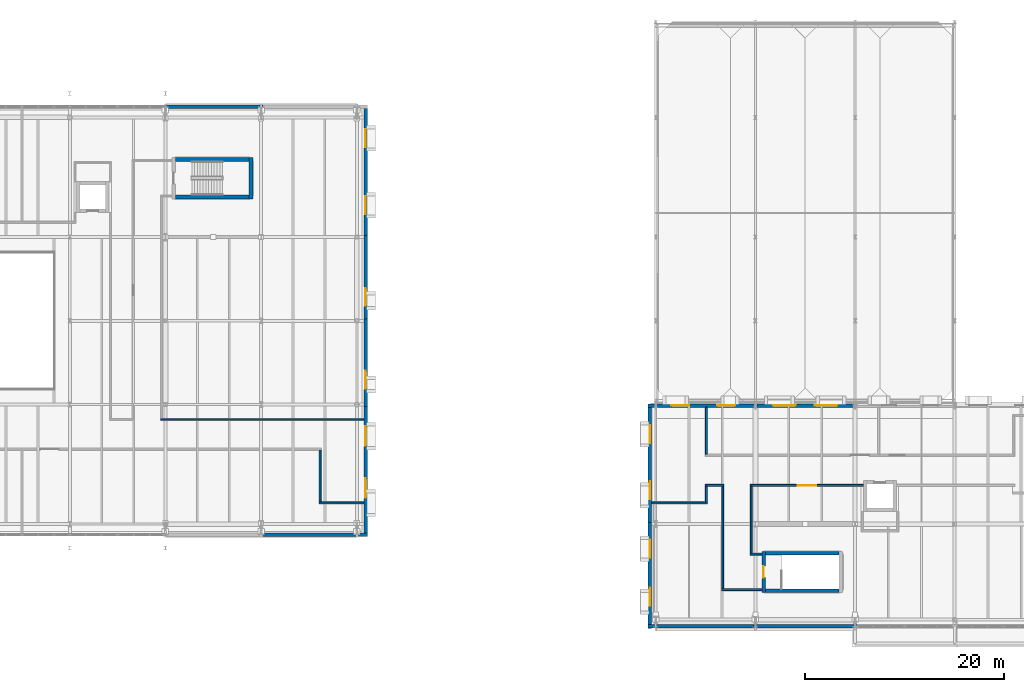
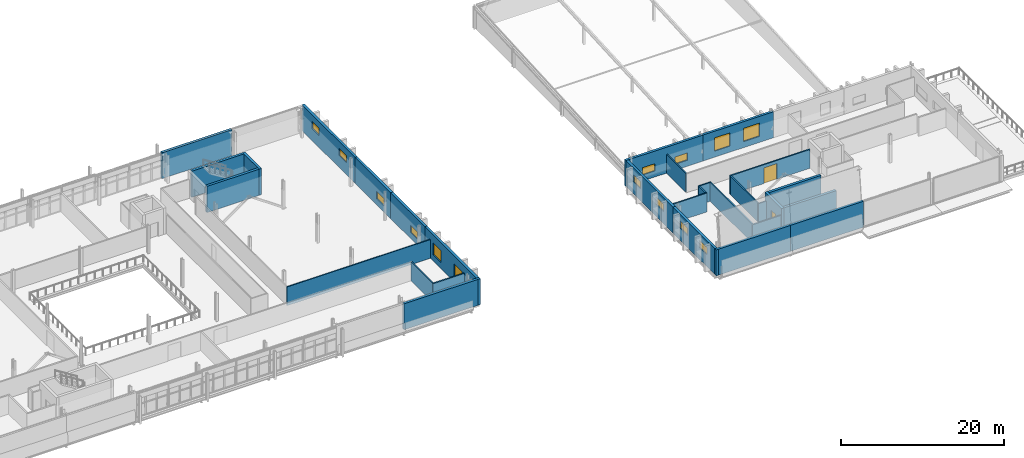
# One storey, part 45 of 57: 30 walls, 14 windows, 2 doors, 16 openings.
"""IFC4 building model written with IfcOpenShell, lengths in metres."""

from ifc_helpers import new_model, si_unit, direction, frame, frame_2d, origin, place, context, subcontext, project, spatial, rectangle, extrude, material, layer, layer_set, type_object, element, fill, save


model = new_model("IFC4")

# Units and contexts
model_context = context("Model", 3, precision=1e-05, world=origin(), true_north=direction((0.0, 1.0)))
body_context = subcontext(model_context, "Body", "Model", "MODEL_VIEW")
ifc_project = project(units=[si_unit("LENGTHUNIT", "METRE"), si_unit("AREAUNIT", "SQUARE_METRE"), si_unit("VOLUMEUNIT", "CUBIC_METRE"), si_unit("PLANEANGLEUNIT", "RADIAN"), si_unit("MASSUNIT", "GRAM", prefix="KILO")], contexts=[model_context])

# Site, building, storey
site_placement = place(None, origin())
site = spatial("IfcSite", under=ifc_project, at=site_placement, CompositionType="ELEMENT")
building_placement = place(site_placement, origin())
building = spatial("IfcBuilding", under=site, at=building_placement, Name="Zereglee Splitstone Museum", CompositionType="ELEMENT")
storey_placement = place(building_placement, frame((0.0, 0.0, 17.10009765625)))
storey = spatial("IfcBuildingStorey", under=building, at=storey_placement, Name="L03", CompositionType="ELEMENT", Elevation=17.10009765625)

# Walls
ifc_material_1 = material(Name="Concrete C45/55", Category="concrete")
ifc_layer_1 = layer(ifc_material_1, 0.360107421875)
ifc_layer_set_1 = layer_set([ifc_layer_1], Name="Concrete C45/55")
wall_type_1 = type_object("IfcWallType", Name="CSW-02", PredefinedType="SHEAR", material=ifc_layer_set_1)
wall_1_placement = place(storey_placement, frame((134.580078125, 42.239990234375, 0.0), z_axis=(0.0, 0.0, 1.0), x_axis=(0.0, 1.0, 0.0)))
element("IfcWall", 1, at=wall_1_placement, inside=storey, type_object=wall_type_1, Name="Stair Core Shear Wall ST-03 L03 East", PredefinedType="SHEAR", context=body_context, shape_type="SweptSolid", body=[
    extrude(rectangle(XDim=4.1201171875, YDim=0.360107421875, at=frame_2d((2.06005859375, 0.0))), origin(), (0.0, 0.0, 1.0), 3.93994140625),
])
for number, where, z_axis, x_axis, name in (
    (2, (127.0, 46.179931640625, 0.0), (0.0, 0.0, 1.0), (1.0, 0.0, 0.0), "Stair Core Shear Wall ST-03 L03 North"),
    (3, (127.0, 42.419921875, 0.0), (0.0, 0.0, 1.0), (1.0, 0.0, 0.0), "Stair Core Shear Wall ST-03 L03 South"),
):
    element("IfcWall", number, at=place(storey_placement, frame(where, z_axis=z_axis, x_axis=x_axis)), inside=storey, type_object=wall_type_1, Name=name, PredefinedType="SHEAR", context=body_context, shape_type="SweptSolid", body=[
        extrude(rectangle(XDim=7.39990234375, YDim=0.360107421875, at=frame_2d((3.699951171875, 0.0))), origin(), (0.0, 0.0, 1.0), 3.93994140625),
    ])

# Wall, opening, door
wall_2_placement = place(storey_placement, frame((186.02001953125, 2.739990234375, 0.0), z_axis=(0.0, 0.0, 1.0), x_axis=(0.0, 1.0, 0.0)))
wall_2 = element("IfcWall", 4, at=wall_2_placement, inside=storey, type_object=wall_type_1, Name="Stair Core Shear Wall ST-04 L03 West", PredefinedType="SHEAR", context=body_context, shape_type="SweptSolid", body=[
    extrude(rectangle(XDim=4.1201171875, YDim=0.360107421875, at=frame_2d((2.06005859375, 0.0))), origin(), (0.0, 0.0, 1.0), 3.93994140625),
])
opening_1_placement = place(wall_2_placement, frame((1.485107421875, 0.0, 0.0)))
opening_1 = element("IfcOpeningElement", 5, at=opening_1_placement, cuts=wall_2, Name="Opening ID-03", PredefinedType="OPENING", context=body_context, shape_type="SweptSolid", body=[
    extrude(rectangle(XDim=1.14990234375, YDim=2.14990234375, at=frame_2d((0.574951171875, 1.074951171875))), frame((0.0, 0.19482421875, 0.0), z_axis=(0.0, -1.0, 0.0), x_axis=(1.0, 0.0, 0.0)), (0.0, 0.0, 1.0), 0.389892578125),
])
ifc_material_2 = material(Name="Fire-rated steel and Siberian larch leaf", Category="steel")
door_type_1 = type_object("IfcDoorType", Name="ID-03", OperationType="NOTDEFINED", PredefinedType="DOOR", material=ifc_material_2)
door_1_placement = place(opening_1_placement, origin())
door_1 = element("IfcDoor", 6, at=door_1_placement, inside=storey, type_object=door_type_1, Name="Protected Stair Fire Door ST-04 L03", OperationType="SINGLE_SWING_LEFT", OverallHeight=2.14990234375, OverallWidth=1.14990234375, PredefinedType="DOOR", context=body_context, shape_type="SweptSolid", body=[
    extrude(rectangle(XDim=1.14990234375, YDim=2.14990234375, at=frame_2d((0.574951171875, 1.074951171875))), frame((0.0, 0.02490234375, 0.0), z_axis=(0.0, -1.0, 0.0), x_axis=(1.0, 0.0, 0.0)), (0.0, 0.0, 1.0), 0.050048828125),
])
fill(opening_1, door_1)

# Walls
for number, where, z_axis, x_axis, name in (
    (7, (186.199951171875, 6.679931640625, 0.0), (0.0, 0.0, 1.0), (1.0, 0.0, 0.0), "Stair Core Shear Wall ST-04 L03 North"),
    (8, (186.199951171875, 2.919921875, 0.0), (0.0, 0.0, 1.0), (1.0, 0.0, 0.0), "Stair Core Shear Wall ST-04 L03 South"),
):
    element("IfcWall", number, at=place(storey_placement, frame(where, z_axis=z_axis, x_axis=x_axis)), inside=storey, type_object=wall_type_1, Name=name, PredefinedType="SHEAR", context=body_context, shape_type="SweptSolid", body=[
        extrude(rectangle(XDim=7.400146484375, YDim=0.360107421875, at=frame_2d((3.7001953125, 0.0))), origin(), (0.0, 0.0, 1.0), 3.93994140625),
    ])
ifc_material_3 = material(Name="Precast concrete C40/50", Category="concrete")
ifc_layer_2 = layer(ifc_material_3, 0.35009765625)
ifc_layer_set_2 = layer_set([ifc_layer_2], Name="Precast concrete C40/50")
wall_type_2 = type_object("IfcWallType", Name="EW-01", PredefinedType="STANDARD", material=ifc_layer_set_2)
wall_3_placement = place(storey_placement, frame((174.43994140625, -0.679931640625, 0.0), z_axis=(0.0, 0.0, 1.0), x_axis=(1.0, 0.0, 0.0)))
element("IfcWall", 9, at=wall_3_placement, inside=storey, type_object=wall_type_2, Name="Exterior Backup Wall RC4-EW-L03-0164", PredefinedType="STANDARD", context=body_context, shape_type="SweptSolid", body=[
    extrude(rectangle(XDim=10.93994140625, YDim=0.35009765625, at=frame_2d((5.469970703125, 0.0))), origin(), (0.0, 0.0, 1.0), 3.89990234375),
])
wall_4_placement = place(storey_placement, frame((185.02001953125, -0.679931640625, 0.0), z_axis=(0.0, 0.0, 1.0), x_axis=(1.0, 0.0, 0.0)))
element("IfcWall", 10, at=wall_4_placement, inside=storey, type_object=wall_type_2, Name="Exterior Backup Wall RC4-EW-L03-0165", PredefinedType="STANDARD", context=body_context, shape_type="SweptSolid", body=[
    extrude(rectangle(XDim=10.35986328125, YDim=0.35009765625, at=frame_2d((5.179931640625, 0.0))), origin(), (0.0, 0.0, 1.0), 3.89990234375),
])

# Wall, openings, windows
wall_5_placement = place(storey_placement, frame((195.3798828125, 21.47998046875, 0.0), z_axis=(0.0, 0.0, 1.0), x_axis=(-1.0, 0.0, 0.0)))
wall_5 = element("IfcWall", 11, at=wall_5_placement, inside=storey, type_object=wall_type_2, Name="Exterior Backup Wall RC4-EW-L03-0170", PredefinedType="STANDARD", context=body_context, shape_type="SweptSolid", body=[
    extrude(rectangle(XDim=10.35986328125, YDim=0.35009765625, at=frame_2d((5.179931640625, 0.0))), origin(), (0.0, 0.0, 1.0), 3.89990234375),
])
opening_2_placement = place(wall_5_placement, frame((1.965087890625, 0.0, 0.89990234375)))
opening_2 = element("IfcOpeningElement", 12, at=opening_2_placement, cuts=wall_5, Name="Opening EW-W20", PredefinedType="OPENING", context=body_context, shape_type="SweptSolid", body=[
    extrude(rectangle(XDim=2.25, YDim=2.0, at=frame_2d((1.125, 1.0))), frame((0.0, 0.18994140625, 0.0), z_axis=(0.0, -1.0, 0.0), x_axis=(1.0, 0.0, 0.0)), (0.0, 0.0, 1.0), 0.3798828125),
])
opening_3_placement = place(wall_5_placement, frame((6.14501953125, 0.0, 0.89990234375)))
opening_3 = element("IfcOpeningElement", 13, at=opening_3_placement, cuts=wall_5, Name="Opening EW-W20", PredefinedType="OPENING", context=body_context, shape_type="SweptSolid", body=[
    extrude(rectangle(XDim=2.25, YDim=2.0, at=frame_2d((1.125, 1.0))), frame((0.0, 0.18994140625, 0.0), z_axis=(0.0, -1.0, 0.0), x_axis=(1.0, 0.0, 0.0)), (0.0, 0.0, 1.0), 0.3798828125),
])
ifc_material_4 = material(Name="Thermally broken aluminium frame with triple low-e glazing", Category="aluminium")
window_type_1 = type_object("IfcWindowType", Name="EW-W20", PartitioningType="DOUBLE_PANEL_VERTICAL", PredefinedType="WINDOW", material=ifc_material_4)
window_1_placement = place(opening_2_placement, origin())
window_1 = element("IfcWindow", 14, at=window_1_placement, inside=storey, type_object=window_type_1, Name="Mughal Deep-Reveal Gallery Window L03-0111", OverallHeight=2.0, OverallWidth=2.25, PartitioningType="SINGLE_PANEL", PredefinedType="WINDOW", context=body_context, shape_type="SweptSolid", body=[
    extrude(rectangle(XDim=2.25, YDim=2.0, at=frame_2d((1.125, 1.0))), frame((0.0, 0.030029296875, 0.0), z_axis=(0.0, -1.0, 0.0), x_axis=(1.0, 0.0, 0.0)), (0.0, 0.0, 1.0), 0.06005859375),
])
fill(opening_2, window_1)
window_2_placement = place(opening_3_placement, origin())
window_2 = element("IfcWindow", 15, at=window_2_placement, inside=storey, type_object=window_type_1, Name="Mughal Deep-Reveal Gallery Window L03-0112", OverallHeight=2.0, OverallWidth=2.25, PartitioningType="SINGLE_PANEL", PredefinedType="WINDOW", context=body_context, shape_type="SweptSolid", body=[
    extrude(rectangle(XDim=2.25, YDim=2.0, at=frame_2d((1.125, 1.0))), frame((0.0, 0.030029296875, 0.0), z_axis=(0.0, -1.0, 0.0), x_axis=(1.0, 0.0, 0.0)), (0.0, 0.0, 1.0), 0.06005859375),
])
fill(opening_3, window_2)

wall_6_placement = place(storey_placement, frame((185.3798828125, 21.47998046875, 0.0), z_axis=(0.0, 0.0, 1.0), x_axis=(-1.0, 0.0, 0.0)))
wall_6 = element("IfcWall", 16, at=wall_6_placement, inside=storey, type_object=wall_type_2, Name="Exterior Backup Wall RC4-EW-L03-0171", PredefinedType="STANDARD", context=body_context, shape_type="SweptSolid", body=[
    extrude(rectangle(XDim=10.93994140625, YDim=0.35009765625, at=frame_2d((5.469970703125, 0.0))), origin(), (0.0, 0.0, 1.0), 3.89990234375),
])
opening_4_placement = place(wall_6_placement, frame((2.2099609375, 0.0, 0.89990234375)))
opening_4 = element("IfcOpeningElement", 17, at=opening_4_placement, cuts=wall_6, Name="Opening EW-W12", PredefinedType="OPENING", context=body_context, shape_type="SweptSolid", body=[
    extrude(rectangle(XDim=1.800048828125, YDim=1.10009765625, at=frame_2d((0.89990234375, 0.550048828125))), frame((0.0, 0.18994140625, 0.0), z_axis=(0.0, -1.0, 0.0), x_axis=(1.0, 0.0, 0.0)), (0.0, 0.0, 1.0), 0.3798828125),
])
opening_5_placement = place(wall_6_placement, frame((6.804931640625, 0.0, 0.89990234375)))
opening_5 = element("IfcOpeningElement", 18, at=opening_5_placement, cuts=wall_6, Name="Opening EW-W12", PredefinedType="OPENING", context=body_context, shape_type="SweptSolid", body=[
    extrude(rectangle(XDim=1.800048828125, YDim=1.10009765625, at=frame_2d((0.89990234375, 0.550048828125))), frame((0.0, 0.18994140625, 0.0), z_axis=(0.0, -1.0, 0.0), x_axis=(1.0, 0.0, 0.0)), (0.0, 0.0, 1.0), 0.3798828125),
])
window_type_2 = type_object("IfcWindowType", Name="EW-W12", PartitioningType="DOUBLE_PANEL_HORIZONTAL", PredefinedType="WINDOW", material=ifc_material_4)
window_3_placement = place(opening_4_placement, origin())
window_3 = element("IfcWindow", 19, at=window_3_placement, inside=storey, type_object=window_type_2, Name="Mughal Deep-Reveal Gallery Window L03-0113", OverallHeight=1.10009765625, OverallWidth=1.800048828125, PartitioningType="SINGLE_PANEL", PredefinedType="WINDOW", context=body_context, shape_type="SweptSolid", body=[
    extrude(rectangle(XDim=1.800048828125, YDim=1.10009765625, at=frame_2d((0.89990234375, 0.550048828125))), frame((0.0, 0.030029296875, 0.0), z_axis=(0.0, -1.0, 0.0), x_axis=(1.0, 0.0, 0.0)), (0.0, 0.0, 1.0), 0.06005859375),
])
fill(opening_4, window_3)
window_4_placement = place(opening_5_placement, origin())
window_4 = element("IfcWindow", 20, at=window_4_placement, inside=storey, type_object=window_type_2, Name="Mughal Deep-Reveal Gallery Window L03-0114", OverallHeight=1.10009765625, OverallWidth=1.800048828125, PartitioningType="SINGLE_PANEL", PredefinedType="WINDOW", context=body_context, shape_type="SweptSolid", body=[
    extrude(rectangle(XDim=1.800048828125, YDim=1.10009765625, at=frame_2d((0.89990234375, 0.550048828125))), frame((0.0, 0.030029296875, 0.0), z_axis=(0.0, -1.0, 0.0), x_axis=(1.0, 0.0, 0.0)), (0.0, 0.0, 1.0), 0.06005859375),
])
fill(opening_5, window_4)

wall_7_placement = place(storey_placement, frame((174.6201171875, 21.659912109375, 0.0), z_axis=(0.0, 0.0, 1.0), x_axis=(0.0, -1.0, 0.0)))
wall_7 = element("IfcWall", 21, at=wall_7_placement, inside=storey, type_object=wall_type_2, Name="Exterior Backup Wall RC4-EW-L03-0172", PredefinedType="STANDARD", context=body_context, shape_type="SweptSolid", body=[
    extrude(rectangle(XDim=12.239990234375, YDim=0.35009765625, at=frame_2d((6.1201171875, 0.0))), origin(), (0.0, 0.0, 1.0), 3.89990234375),
])
opening_6_placement = place(wall_7_placement, frame((2.159912109375, 0.0, 1.800048828125)))
opening_6 = element("IfcOpeningElement", 22, at=opening_6_placement, cuts=wall_7, Name="Opening EW-W12", PredefinedType="OPENING", context=body_context, shape_type="SweptSolid", body=[
    extrude(rectangle(XDim=1.800048828125, YDim=1.10009765625, at=frame_2d((0.89990234375, 0.550048828125))), frame((0.0, 0.18994140625, 0.0), z_axis=(0.0, -1.0, 0.0), x_axis=(1.0, 0.0, 0.0)), (0.0, 0.0, 1.0), 0.3798828125),
])
opening_7_placement = place(wall_7_placement, frame((7.780029296875, 0.0, 1.800048828125)))
opening_7 = element("IfcOpeningElement", 23, at=opening_7_placement, cuts=wall_7, Name="Opening EW-W12", PredefinedType="OPENING", context=body_context, shape_type="SweptSolid", body=[
    extrude(rectangle(XDim=1.800048828125, YDim=1.10009765625, at=frame_2d((0.89990234375, 0.550048828125))), frame((0.0, 0.18994140625, 0.0), z_axis=(0.0, -1.0, 0.0), x_axis=(1.0, 0.0, 0.0)), (0.0, 0.0, 1.0), 0.3798828125),
])
window_5_placement = place(opening_6_placement, origin())
window_5 = element("IfcWindow", 24, at=window_5_placement, inside=storey, type_object=window_type_2, Name="Mughal Deep-Reveal Gallery Window L03-0115", OverallHeight=1.10009765625, OverallWidth=1.800048828125, PartitioningType="SINGLE_PANEL", PredefinedType="WINDOW", context=body_context, shape_type="SweptSolid", body=[
    extrude(rectangle(XDim=1.800048828125, YDim=1.10009765625, at=frame_2d((0.89990234375, 0.550048828125))), frame((0.0, 0.030029296875, 0.0), z_axis=(0.0, -1.0, 0.0), x_axis=(1.0, 0.0, 0.0)), (0.0, 0.0, 1.0), 0.06005859375),
])
fill(opening_6, window_5)
window_6_placement = place(opening_7_placement, origin())
window_6 = element("IfcWindow", 25, at=window_6_placement, inside=storey, type_object=window_type_2, Name="Mughal Deep-Reveal Gallery Window L03-0116", OverallHeight=1.10009765625, OverallWidth=1.800048828125, PartitioningType="SINGLE_PANEL", PredefinedType="WINDOW", context=body_context, shape_type="SweptSolid", body=[
    extrude(rectangle(XDim=1.800048828125, YDim=1.10009765625, at=frame_2d((0.89990234375, 0.550048828125))), frame((0.0, 0.030029296875, 0.0), z_axis=(0.0, -1.0, 0.0), x_axis=(1.0, 0.0, 0.0)), (0.0, 0.0, 1.0), 0.06005859375),
])
fill(opening_7, window_6)

wall_8_placement = place(storey_placement, frame((174.6201171875, 9.780029296875, 0.0), z_axis=(0.0, 0.0, 1.0), x_axis=(0.0, -1.0, 0.0)))
wall_8 = element("IfcWall", 26, at=wall_8_placement, inside=storey, type_object=wall_type_2, Name="Exterior Backup Wall RC4-EW-L03-0173", PredefinedType="STANDARD", context=body_context, shape_type="SweptSolid", body=[
    extrude(rectangle(XDim=10.64013671875, YDim=0.35009765625, at=frame_2d((5.320068359375, 0.0))), origin(), (0.0, 0.0, 1.0), 3.89990234375),
])
opening_8_placement = place(wall_8_placement, frame((1.760009765625, 0.0, 1.800048828125)))
opening_8 = element("IfcOpeningElement", 27, at=opening_8_placement, cuts=wall_8, Name="Opening EW-W12", PredefinedType="OPENING", context=body_context, shape_type="SweptSolid", body=[
    extrude(rectangle(XDim=1.800048828125, YDim=1.10009765625, at=frame_2d((0.89990234375, 0.550048828125))), frame((0.0, 0.18994140625, 0.0), z_axis=(0.0, -1.0, 0.0), x_axis=(1.0, 0.0, 0.0)), (0.0, 0.0, 1.0), 0.3798828125),
])
opening_9_placement = place(wall_8_placement, frame((6.580078125, 0.0, 1.800048828125)))
opening_9 = element("IfcOpeningElement", 28, at=opening_9_placement, cuts=wall_8, Name="Opening EW-W12", PredefinedType="OPENING", context=body_context, shape_type="SweptSolid", body=[
    extrude(rectangle(XDim=1.800048828125, YDim=1.10009765625, at=frame_2d((0.89990234375, 0.550048828125))), frame((0.0, 0.18994140625, 0.0), z_axis=(0.0, -1.0, 0.0), x_axis=(1.0, 0.0, 0.0)), (0.0, 0.0, 1.0), 0.3798828125),
])
window_7_placement = place(opening_8_placement, origin())
window_7 = element("IfcWindow", 29, at=window_7_placement, inside=storey, type_object=window_type_2, Name="Mughal Deep-Reveal Gallery Window L03-0117", OverallHeight=1.10009765625, OverallWidth=1.800048828125, PartitioningType="SINGLE_PANEL", PredefinedType="WINDOW", context=body_context, shape_type="SweptSolid", body=[
    extrude(rectangle(XDim=1.800048828125, YDim=1.10009765625, at=frame_2d((0.89990234375, 0.550048828125))), frame((0.0, 0.030029296875, 0.0), z_axis=(0.0, -1.0, 0.0), x_axis=(1.0, 0.0, 0.0)), (0.0, 0.0, 1.0), 0.06005859375),
])
fill(opening_8, window_7)
window_8_placement = place(opening_9_placement, origin())
window_8 = element("IfcWindow", 30, at=window_8_placement, inside=storey, type_object=window_type_2, Name="Mughal Deep-Reveal Gallery Window L03-0118", OverallHeight=1.10009765625, OverallWidth=1.800048828125, PartitioningType="SINGLE_PANEL", PredefinedType="WINDOW", context=body_context, shape_type="SweptSolid", body=[
    extrude(rectangle(XDim=1.800048828125, YDim=1.10009765625, at=frame_2d((0.89990234375, 0.550048828125))), frame((0.0, 0.030029296875, 0.0), z_axis=(0.0, -1.0, 0.0), x_axis=(1.0, 0.0, 0.0)), (0.0, 0.0, 1.0), 0.06005859375),
])
fill(opening_9, window_8)

# Wall
wall_9_placement = place(storey_placement, frame((135.419921875, 8.52001953125, 0.0), z_axis=(0.0, 0.0, 1.0), x_axis=(1.0, 0.0, 0.0)))
element("IfcWall", 31, at=wall_9_placement, inside=storey, type_object=wall_type_2, Name="Exterior Backup Wall RC4-EW-L03-0197", PredefinedType="STANDARD", context=body_context, shape_type="SweptSolid", body=[
    extrude(rectangle(XDim=10.840087890625, YDim=0.35009765625, at=frame_2d((5.419921875, 0.0))), origin(), (0.0, 0.0, 1.0), 3.89990234375),
])

# Wall, openings, windows
wall_10_placement = place(storey_placement, frame((146.080078125, 8.340087890625, 0.0), z_axis=(0.0, 0.0, 1.0), x_axis=(0.0, 1.0, 0.0)))
wall_10 = element("IfcWall", 32, at=wall_10_placement, inside=storey, type_object=wall_type_2, Name="Exterior Backup Wall RC4-EW-L03-0198", PredefinedType="STANDARD", context=body_context, shape_type="SweptSolid", body=[
    extrude(rectangle(XDim=13.43994140625, YDim=0.35009765625, at=frame_2d((6.719970703125, 0.0))), origin(), (0.0, 0.0, 1.0), 3.89990234375),
])
opening_10_placement = place(wall_10_placement, frame((3.885009765625, 0.0, 0.89990234375)))
opening_10 = element("IfcOpeningElement", 33, at=opening_10_placement, cuts=wall_10, Name="Opening EW-W19", PredefinedType="OPENING", context=body_context, shape_type="SweptSolid", body=[
    extrude(rectangle(XDim=1.949951171875, YDim=1.800048828125, at=frame_2d((0.97509765625, 0.89990234375))), frame((0.0, 0.18994140625, 0.0), z_axis=(0.0, -1.0, 0.0), x_axis=(1.0, 0.0, 0.0)), (0.0, 0.0, 1.0), 0.3798828125),
])
opening_11_placement = place(wall_10_placement, frame((9.10498046875, 0.0, 0.89990234375)))
opening_11 = element("IfcOpeningElement", 34, at=opening_11_placement, cuts=wall_10, Name="Opening EW-W19", PredefinedType="OPENING", context=body_context, shape_type="SweptSolid", body=[
    extrude(rectangle(XDim=1.949951171875, YDim=1.800048828125, at=frame_2d((0.97509765625, 0.89990234375))), frame((0.0, 0.18994140625, 0.0), z_axis=(0.0, -1.0, 0.0), x_axis=(1.0, 0.0, 0.0)), (0.0, 0.0, 1.0), 0.3798828125),
])
window_type_3 = type_object("IfcWindowType", Name="EW-W19", PartitioningType="DOUBLE_PANEL_VERTICAL", PredefinedType="WINDOW", material=ifc_material_4)
window_9_placement = place(opening_10_placement, origin())
window_9 = element("IfcWindow", 35, at=window_9_placement, inside=storey, type_object=window_type_3, Name="Mughal Deep-Reveal Gallery Window L03-0130", OverallHeight=1.800048828125, OverallWidth=1.949951171875, PartitioningType="SINGLE_PANEL", PredefinedType="WINDOW", context=body_context, shape_type="SweptSolid", body=[
    extrude(rectangle(XDim=1.949951171875, YDim=1.800048828125, at=frame_2d((0.97509765625, 0.89990234375))), frame((0.0, 0.030029296875, 0.0), z_axis=(0.0, -1.0, 0.0), x_axis=(1.0, 0.0, 0.0)), (0.0, 0.0, 1.0), 0.06005859375),
])
fill(opening_10, window_9)
window_10_placement = place(opening_11_placement, origin())
window_10 = element("IfcWindow", 36, at=window_10_placement, inside=storey, type_object=window_type_3, Name="Mughal Deep-Reveal Gallery Window L03-0131", OverallHeight=1.800048828125, OverallWidth=1.949951171875, PartitioningType="SINGLE_PANEL", PredefinedType="WINDOW", context=body_context, shape_type="SweptSolid", body=[
    extrude(rectangle(XDim=1.949951171875, YDim=1.800048828125, at=frame_2d((0.97509765625, 0.89990234375))), frame((0.0, 0.030029296875, 0.0), z_axis=(0.0, -1.0, 0.0), x_axis=(1.0, 0.0, 0.0)), (0.0, 0.0, 1.0), 0.06005859375),
])
fill(opening_11, window_10)

# Wall, opening, window
wall_11_placement = place(storey_placement, frame((146.080078125, 21.419921875, 0.0), z_axis=(0.0, 0.0, 1.0), x_axis=(0.0, 1.0, 0.0)))
wall_11 = element("IfcWall", 37, at=wall_11_placement, inside=storey, type_object=wall_type_2, Name="Exterior Backup Wall RC4-EW-L03-0199", PredefinedType="STANDARD", context=body_context, shape_type="SweptSolid", body=[
    extrude(rectangle(XDim=8.760009765625, YDim=0.35009765625, at=frame_2d((4.3798828125, 0.0))), origin(), (0.0, 0.0, 1.0), 3.89990234375),
])
opening_12_placement = place(wall_11_placement, frame((1.739990234375, 0.0, 0.89990234375)))
opening_12 = element("IfcOpeningElement", 38, at=opening_12_placement, cuts=wall_11, Name="Opening EW-W12", PredefinedType="OPENING", context=body_context, shape_type="SweptSolid", body=[
    extrude(rectangle(XDim=1.800048828125, YDim=1.10009765625, at=frame_2d((0.89990234375, 0.550048828125))), frame((0.0, 0.18994140625, 0.0), z_axis=(0.0, -1.0, 0.0), x_axis=(1.0, 0.0, 0.0)), (0.0, 0.0, 1.0), 0.3798828125),
])
window_11_placement = place(opening_12_placement, origin())
window_11 = element("IfcWindow", 39, at=window_11_placement, inside=storey, type_object=window_type_2, Name="Mughal Deep-Reveal Gallery Window L03-0132", OverallHeight=1.10009765625, OverallWidth=1.800048828125, PartitioningType="SINGLE_PANEL", PredefinedType="WINDOW", context=body_context, shape_type="SweptSolid", body=[
    extrude(rectangle(XDim=1.800048828125, YDim=1.10009765625, at=frame_2d((0.89990234375, 0.550048828125))), frame((0.0, 0.030029296875, 0.0), z_axis=(0.0, -1.0, 0.0), x_axis=(1.0, 0.0, 0.0)), (0.0, 0.0, 1.0), 0.06005859375),
])
fill(opening_12, window_11)

wall_12_placement = place(storey_placement, frame((146.080078125, 29.820068359375, 0.0), z_axis=(0.0, 0.0, 1.0), x_axis=(0.0, 1.0, 0.0)))
wall_12 = element("IfcWall", 40, at=wall_12_placement, inside=storey, type_object=wall_type_2, Name="Exterior Backup Wall RC4-EW-L03-0200", PredefinedType="STANDARD", context=body_context, shape_type="SweptSolid", body=[
    extrude(rectangle(XDim=8.760009765625, YDim=0.35009765625, at=frame_2d((4.3798828125, 0.0))), origin(), (0.0, 0.0, 1.0), 3.89990234375),
])
opening_13_placement = place(wall_12_placement, frame((1.6650390625, 0.0, 0.89990234375)))
opening_13 = element("IfcOpeningElement", 41, at=opening_13_placement, cuts=wall_12, Name="Opening EW-W12", PredefinedType="OPENING", context=body_context, shape_type="SweptSolid", body=[
    extrude(rectangle(XDim=1.800048828125, YDim=1.10009765625, at=frame_2d((0.89990234375, 0.550048828125))), frame((0.0, 0.18994140625, 0.0), z_axis=(0.0, -1.0, 0.0), x_axis=(1.0, 0.0, 0.0)), (0.0, 0.0, 1.0), 0.3798828125),
])
window_12_placement = place(opening_13_placement, origin())
window_12 = element("IfcWindow", 42, at=window_12_placement, inside=storey, type_object=window_type_2, Name="Mughal Deep-Reveal Gallery Window L03-0133", OverallHeight=1.10009765625, OverallWidth=1.800048828125, PartitioningType="SINGLE_PANEL", PredefinedType="WINDOW", context=body_context, shape_type="SweptSolid", body=[
    extrude(rectangle(XDim=1.800048828125, YDim=1.10009765625, at=frame_2d((0.89990234375, 0.550048828125))), frame((0.0, 0.030029296875, 0.0), z_axis=(0.0, -1.0, 0.0), x_axis=(1.0, 0.0, 0.0)), (0.0, 0.0, 1.0), 0.06005859375),
])
fill(opening_13, window_12)

# Wall, openings, windows
wall_13_placement = place(storey_placement, frame((146.080078125, 38.219970703125, 0.0), z_axis=(0.0, 0.0, 1.0), x_axis=(0.0, 1.0, 0.0)))
wall_13 = element("IfcWall", 43, at=wall_13_placement, inside=storey, type_object=wall_type_2, Name="Exterior Backup Wall RC4-EW-L03-0201", PredefinedType="STANDARD", context=body_context, shape_type="SweptSolid", body=[
    extrude(rectangle(XDim=13.43994140625, YDim=0.35009765625, at=frame_2d((6.719970703125, 0.0))), origin(), (0.0, 0.0, 1.0), 3.89990234375),
])
opening_14_placement = place(wall_13_placement, frame((2.4599609375, 0.0, 1.800048828125)))
opening_14 = element("IfcOpeningElement", 44, at=opening_14_placement, cuts=wall_13, Name="Opening EW-W12", PredefinedType="OPENING", context=body_context, shape_type="SweptSolid", body=[
    extrude(rectangle(XDim=1.800048828125, YDim=1.10009765625, at=frame_2d((0.89990234375, 0.550048828125))), frame((0.0, 0.18994140625, 0.0), z_axis=(0.0, -1.0, 0.0), x_axis=(1.0, 0.0, 0.0)), (0.0, 0.0, 1.0), 0.3798828125),
])
opening_15_placement = place(wall_13_placement, frame((9.179931640625, 0.0, 1.800048828125)))
opening_15 = element("IfcOpeningElement", 45, at=opening_15_placement, cuts=wall_13, Name="Opening EW-W12", PredefinedType="OPENING", context=body_context, shape_type="SweptSolid", body=[
    extrude(rectangle(XDim=1.800048828125, YDim=1.10009765625, at=frame_2d((0.89990234375, 0.550048828125))), frame((0.0, 0.18994140625, 0.0), z_axis=(0.0, -1.0, 0.0), x_axis=(1.0, 0.0, 0.0)), (0.0, 0.0, 1.0), 0.3798828125),
])
window_13_placement = place(opening_14_placement, origin())
window_13 = element("IfcWindow", 46, at=window_13_placement, inside=storey, type_object=window_type_2, Name="Mughal Deep-Reveal Gallery Window L03-0134", OverallHeight=1.10009765625, OverallWidth=1.800048828125, PartitioningType="SINGLE_PANEL", PredefinedType="WINDOW", context=body_context, shape_type="SweptSolid", body=[
    extrude(rectangle(XDim=1.800048828125, YDim=1.10009765625, at=frame_2d((0.89990234375, 0.550048828125))), frame((0.0, 0.030029296875, 0.0), z_axis=(0.0, -1.0, 0.0), x_axis=(1.0, 0.0, 0.0)), (0.0, 0.0, 1.0), 0.06005859375),
])
fill(opening_14, window_13)
window_14_placement = place(opening_15_placement, origin())
window_14 = element("IfcWindow", 47, at=window_14_placement, inside=storey, type_object=window_type_2, Name="Mughal Deep-Reveal Gallery Window L03-0135", OverallHeight=1.10009765625, OverallWidth=1.800048828125, PartitioningType="SINGLE_PANEL", PredefinedType="WINDOW", context=body_context, shape_type="SweptSolid", body=[
    extrude(rectangle(XDim=1.800048828125, YDim=1.10009765625, at=frame_2d((0.89990234375, 0.550048828125))), frame((0.0, 0.030029296875, 0.0), z_axis=(0.0, -1.0, 0.0), x_axis=(1.0, 0.0, 0.0)), (0.0, 0.0, 1.0), 0.06005859375),
])
fill(opening_15, window_14)

# Walls
wall_14_placement = place(storey_placement, frame((135.780029296875, 51.47998046875, 0.0), z_axis=(0.0, 0.0, 1.0), x_axis=(-1.0, 0.0, 0.0)))
element("IfcWall", 48, at=wall_14_placement, inside=storey, type_object=wall_type_2, Name="Exterior Backup Wall RC4-EW-L03-0203", PredefinedType="STANDARD", context=body_context, shape_type="SweptSolid", body=[
    extrude(rectangle(XDim=9.9599609375, YDim=0.35009765625, at=frame_2d((4.97998046875, 0.0))), origin(), (0.0, 0.0, 1.0), 3.89990234375),
])
ifc_material_5 = material(Name="Fire-rated gypsum board partition", Category="masonry")
ifc_layer_3 = layer(ifc_material_5, 0.139892578125)
ifc_layer_set_3 = layer_set([ifc_layer_3], Name="Fire-rated gypsum board partition")
wall_type_3 = type_object("IfcWallType", Name="IW-05", PredefinedType="PARTITIONING", material=ifc_layer_set_3)
wall_15_placement = place(storey_placement, frame((125.510009765625, 20.080078125, 0.0), z_axis=(0.0, 0.0, 1.0), x_axis=(1.0, 0.0, 0.0)))
element("IfcWall", 49, at=wall_15_placement, inside=storey, type_object=wall_type_3, Name="Interior Partition L03-0583 (Research Reading Room)", PredefinedType="PARTITIONING", context=body_context, shape_type="SweptSolid", body=[
    extrude(rectangle(XDim=20.39501953125, YDim=0.139892578125, at=frame_2d((10.197509765625, 0.0))), origin(), (0.0, 0.0, 1.0), 2.81982421875),
])
ifc_material_6 = material(Name="Gypsum board on acoustic steel stud", Category="steel")
ifc_layer_4 = layer(ifc_material_6, 0.18994140625)
ifc_layer_set_4 = layer_set([ifc_layer_4], Name="Gypsum board on acoustic steel stud")
wall_type_4 = type_object("IfcWallType", Name="IW-02", PredefinedType="PARTITIONING", material=ifc_layer_set_4)
wall_16_placement = place(storey_placement, frame((181.824951171875, 3.02001953125, 0.0), z_axis=(0.0, 0.0, 1.0), x_axis=(1.0, 0.0, 0.0)))
element("IfcWall", 50, at=wall_16_placement, inside=storey, type_object=wall_type_4, Name="Interior Partition L03-0555 (Silk Road Decorative Arts Gallery)", PredefinedType="PARTITIONING", context=body_context, shape_type="SweptSolid", body=[
    extrude(rectangle(XDim=4.01513671875, YDim=0.18994140625, at=frame_2d((2.007568359375, 0.0))), origin(), (0.0, 0.0, 1.0), 2.81982421875),
])
wall_17_placement = place(storey_placement, frame((184.68505859375, 6.580078125, 0.0), z_axis=(0.0, 0.0, 1.0), x_axis=(1.0, 0.0, 0.0)))
element("IfcWall", 51, at=wall_17_placement, inside=storey, type_object=wall_type_4, Name="Interior Partition L03-0557 (Silk Road Decorative Arts Gallery)", PredefinedType="PARTITIONING", context=body_context, shape_type="SweptSolid", body=[
    extrude(rectangle(XDim=1.155029296875, YDim=0.18994140625, at=frame_2d((0.57763671875, 0.0))), origin(), (0.0, 0.0, 1.0), 2.81982421875),
])
wall_18_placement = place(storey_placement, frame((141.425048828125, 11.719970703125, 0.0), z_axis=(0.0, 0.0, 1.0), x_axis=(1.0, 0.0, 0.0)))
element("IfcWall", 52, at=wall_18_placement, inside=storey, type_object=wall_type_4, Name="Interior Partition L03-0561 (Tectonic Earth Sciences Gallery)", PredefinedType="PARTITIONING", context=body_context, shape_type="SweptSolid", body=[
    extrude(rectangle(XDim=4.47998046875, YDim=0.18994140625, at=frame_2d((2.239990234375, 0.0))), origin(), (0.0, 0.0, 1.0), 2.81982421875),
])
wall_19_placement = place(storey_placement, frame((174.794921875, 11.719970703125, 0.0), z_axis=(0.0, 0.0, 1.0), x_axis=(1.0, 0.0, 0.0)))
element("IfcWall", 53, at=wall_19_placement, inside=storey, type_object=wall_type_4, Name="Interior Partition L03-0562 (Silk Road Decorative Arts Gallery)", PredefinedType="PARTITIONING", context=body_context, shape_type="SweptSolid", body=[
    extrude(rectangle(XDim=5.580078125, YDim=0.18994140625, at=frame_2d((2.7900390625, 0.0))), origin(), (0.0, 0.0, 1.0), 2.81982421875),
])
wall_20_placement = place(storey_placement, frame((180.18505859375, 13.47998046875, 0.0), z_axis=(0.0, 0.0, 1.0), x_axis=(1.0, 0.0, 0.0)))
element("IfcWall", 54, at=wall_20_placement, inside=storey, type_object=wall_type_4, Name="Interior Partition L03-0566 (Silk Road Decorative Arts Gallery)", PredefinedType="PARTITIONING", context=body_context, shape_type="SweptSolid", body=[
    extrude(rectangle(XDim=1.829833984375, YDim=0.18994140625, at=frame_2d((0.9150390625, 0.0))), origin(), (0.0, 0.0, 1.0), 2.81982421875),
])

# Wall, opening, door
wall_21_placement = place(storey_placement, frame((184.68505859375, 13.47998046875, 0.0), z_axis=(0.0, 0.0, 1.0), x_axis=(1.0, 0.0, 0.0)))
wall_21 = element("IfcWall", 55, at=wall_21_placement, inside=storey, type_object=wall_type_4, Name="Interior Partition L03-0567 (Silk Road Decorative Arts Gallery)", PredefinedType="PARTITIONING", context=body_context, shape_type="SweptSolid", body=[
    extrude(rectangle(XDim=11.35498046875, YDim=0.18994140625, at=frame_2d((5.677490234375, 0.0))), origin(), (0.0, 0.0, 1.0), 2.81982421875),
])
opening_16_placement = place(wall_21_placement, frame((4.75244140625, 0.0, 0.0)))
opening_16 = element("IfcOpeningElement", 56, at=opening_16_placement, cuts=wall_21, Name="Opening ID-02", PredefinedType="OPENING", context=body_context, shape_type="SweptSolid", body=[
    extrude(rectangle(XDim=1.85009765625, YDim=2.35009765625, at=frame_2d((0.925048828125, 1.175048828125))), frame((0.0, 0.10986328125, 0.0), z_axis=(0.0, -1.0, 0.0), x_axis=(1.0, 0.0, 0.0)), (0.0, 0.0, 1.0), 0.2197265625),
])
door_type_2 = type_object("IfcDoorType", Name="ID-02", OperationType="NOTDEFINED", PredefinedType="DOOR", material=ifc_material_2)
door_2_placement = place(opening_16_placement, frame((1.85009765625, 0.0, 0.0), z_axis=(0.0, 0.0, 1.0), x_axis=(-1.0, 0.0, 0.0)))
door_2 = element("IfcDoor", 57, at=door_2_placement, inside=storey, type_object=door_type_2, Name="Interior Door L03-0104 (Silk Road Decorative Arts Gallery)", OperationType="DOUBLE_DOOR_SINGLE_SWING", OverallHeight=2.35009765625, OverallWidth=1.85009765625, PredefinedType="DOOR", context=body_context, shape_type="SweptSolid", body=[
    extrude(rectangle(XDim=1.85009765625, YDim=2.35009765625, at=frame_2d((0.925048828125, 1.175048828125))), frame((0.0, 0.02490234375, 0.0), z_axis=(0.0, -1.0, 0.0), x_axis=(1.0, 0.0, 0.0)), (0.0, 0.0, 1.0), 0.050048828125),
])
fill(opening_16, door_2)

# Walls
wall_22_placement = place(storey_placement, frame((141.52001953125, 11.81494140625, 0.0), z_axis=(0.0, 0.0, 1.0), x_axis=(0.0, 1.0, 0.0)))
element("IfcWall", 58, at=wall_22_placement, inside=storey, type_object=wall_type_4, Name="Interior Partition L03-0620 (Tectonic Earth Sciences Gallery)", PredefinedType="PARTITIONING", context=body_context, shape_type="SweptSolid", body=[
    extrude(rectangle(XDim=5.2099609375, YDim=0.18994140625, at=frame_2d((2.60498046875, 0.0))), origin(), (0.0, 0.0, 1.0), 2.81982421875),
])
wall_23_placement = place(storey_placement, frame((180.280029296875, 11.81494140625, 0.0), z_axis=(0.0, 0.0, 1.0), x_axis=(0.0, 1.0, 0.0)))
element("IfcWall", 59, at=wall_23_placement, inside=storey, type_object=wall_type_4, Name="Interior Partition L03-0621 (Silk Road Decorative Arts Gallery)", PredefinedType="PARTITIONING", context=body_context, shape_type="SweptSolid", body=[
    extrude(rectangle(XDim=1.570068359375, YDim=0.18994140625, at=frame_2d((0.78515625, 0.0))), origin(), (0.0, 0.0, 1.0), 2.81982421875),
])
wall_24_placement = place(storey_placement, frame((180.280029296875, 16.614990234375, 0.0), z_axis=(0.0, 0.0, 1.0), x_axis=(0.0, 1.0, 0.0)))
element("IfcWall", 60, at=wall_24_placement, inside=storey, type_object=wall_type_4, Name="Interior Partition L03-0622 (Steppe Ecology Gallery)", PredefinedType="PARTITIONING", context=body_context, shape_type="SweptSolid", body=[
    extrude(rectangle(XDim=4.68994140625, YDim=0.18994140625, at=frame_2d((2.344970703125, 0.0))), origin(), (0.0, 0.0, 1.0), 2.81982421875),
])
wall_25_placement = place(storey_placement, frame((181.919921875, 3.114990234375, 0.0), z_axis=(0.0, 0.0, 1.0), x_axis=(0.0, 1.0, 0.0)))
element("IfcWall", 61, at=wall_25_placement, inside=storey, type_object=wall_type_4, Name="Interior Partition L03-0623 (Silk Road Decorative Arts Gallery)", PredefinedType="PARTITIONING", context=body_context, shape_type="SweptSolid", body=[
    extrude(rectangle(XDim=10.27001953125, YDim=0.18994140625, at=frame_2d((5.135009765625, 0.0))), origin(), (0.0, 0.0, 1.0), 2.81982421875),
])
wall_26_placement = place(storey_placement, frame((184.780029296875, 6.675048828125, 0.0), z_axis=(0.0, 0.0, 1.0), x_axis=(0.0, 1.0, 0.0)))
element("IfcWall", 62, at=wall_26_placement, inside=storey, type_object=wall_type_4, Name="Interior Partition L03-0624 (Silk Road Decorative Arts Gallery)", PredefinedType="PARTITIONING", context=body_context, shape_type="SweptSolid", body=[
    extrude(rectangle(XDim=6.7099609375, YDim=0.18994140625, at=frame_2d((3.35498046875, 0.0))), origin(), (0.0, 0.0, 1.0), 2.81982421875),
])

save(model, "model.ifc")
